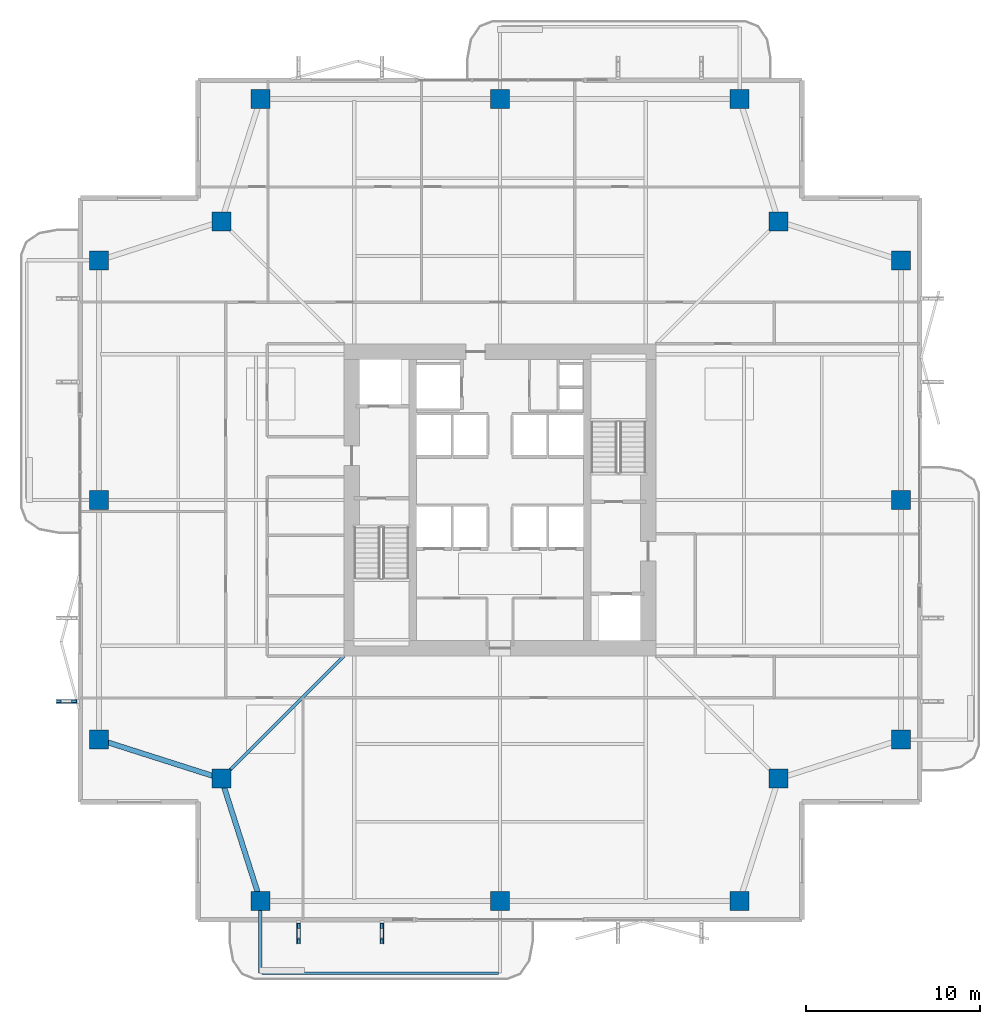
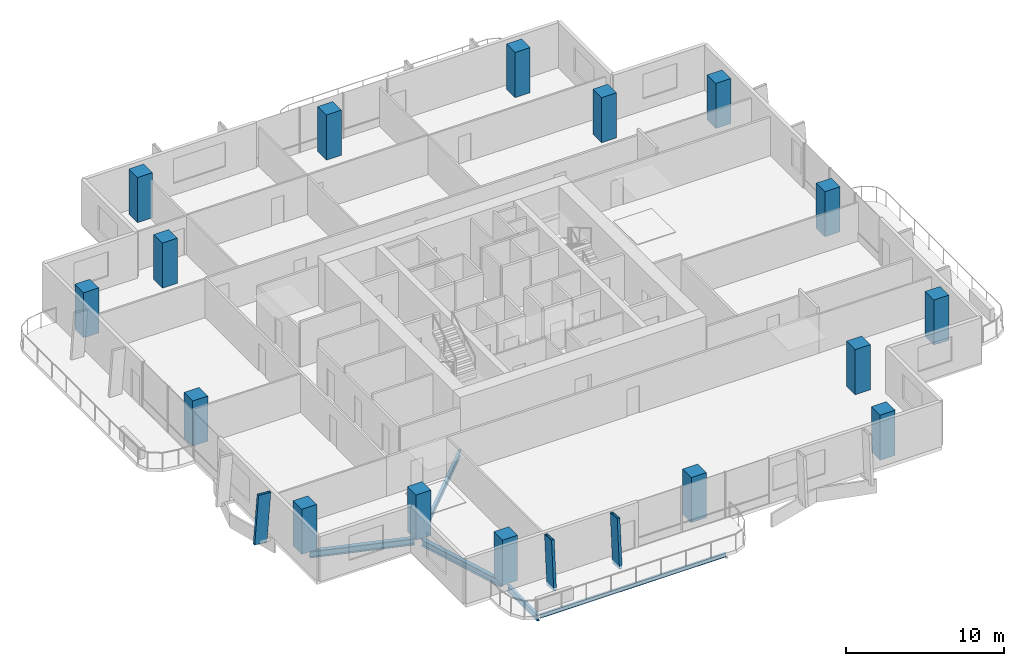
# One storey, part 1 of 25: 16 columns, 5 beams, 3 members.
"""IFC4 building model written with IfcOpenShell, lengths in metres."""

from ifc_helpers import new_model, si_unit, direction, frame, origin, origin_2d, place, context, subcontext, project, spatial, rectangle, hollow_rectangle, i_section, extrude, material, material_profile, profile_set, type_object, element, save


model = new_model("IFC4")

# Units and contexts
model_context = context("Model", 3, precision=1e-05, world=origin(), true_north=direction((0.0, 1.0)))
body_context = subcontext(model_context, "Body", "Model", "MODEL_VIEW")
ifc_project = project(units=[si_unit("LENGTHUNIT", "METRE"), si_unit("AREAUNIT", "SQUARE_METRE"), si_unit("VOLUMEUNIT", "CUBIC_METRE"), si_unit("PLANEANGLEUNIT", "RADIAN"), si_unit("MASSUNIT", "GRAM", prefix="KILO")], contexts=[model_context])

# Site, building, storey
site_placement = place(None, origin())
site = spatial("IfcSite", under=ifc_project, at=site_placement, CompositionType="ELEMENT")
building_placement = place(site_placement, origin())
building = spatial("IfcBuilding", under=site, at=building_placement, Name="Belovzor Exchange Tower", CompositionType="ELEMENT")
storey_placement = place(building_placement, frame((0.0, 0.0, 183.300048828125)))
storey = spatial("IfcBuildingStorey", under=building, at=storey_placement, Name="L45", CompositionType="ELEMENT", Elevation=183.300048828125)

# Columns
ifc_material_1 = material(Name="Concrete C50/60", Category="concrete")
ifc_material_profile_1 = material_profile(ifc_material_1, rectangle(XDim=1.10009765625, YDim=1.10009765625, at=origin_2d()))
ifc_profile_set_1 = profile_set([ifc_material_profile_1], Name="Concrete C50/60")
column_type = type_object("IfcColumnType", Name="Reinforced Concrete Tower Column 1100x1100", PredefinedType="COLUMN", material=ifc_profile_set_1)
for number, where, z_axis, x_axis, name in (
    (1, (15.0, 5.699951171875, 0.0029296875), (0.0, 0.0, 1.0), (1.0, 0.0, 0.0), "COL-T110 Reinforced Concrete Tower Column 1100x1100"),
    (2, (28.800048828125, 5.699951171875, 0.0029296875), (0.0, 0.0, 1.0), (1.0, 0.0, 0.0), "COL-T110 Reinforced Concrete Tower Column 1100x1100"),
    (3, (42.60009765625, 5.699951171875, 0.0029296875), (0.0, 0.0, 1.0), (1.0, 0.0, 0.0), "COL-T110 Reinforced Concrete Tower Column 1100x1100"),
    (4, (51.89990234375, 15.0, 0.0029296875), (0.0, 0.0, 1.0), (1.0, 0.0, 0.0), "COL-T110 Reinforced Concrete Tower Column 1100x1100"),
    (5, (51.89990234375, 28.800048828125, 0.0029296875), (0.0, 0.0, 1.0), (1.0, 0.0, 0.0), "COL-T110 Reinforced Concrete Tower Column 1100x1100"),
    (6, (51.89990234375, 42.60009765625, 0.0029296875), (0.0, 0.0, 1.0), (1.0, 0.0, 0.0), "COL-T110 Reinforced Concrete Tower Column 1100x1100"),
    (7, (42.60009765625, 51.89990234375, 0.0029296875), (0.0, 0.0, 1.0), (1.0, 0.0, 0.0), "COL-T110 Reinforced Concrete Tower Column 1100x1100"),
    (8, (28.800048828125, 51.89990234375, 0.0029296875), (0.0, 0.0, 1.0), (1.0, 0.0, 0.0), "COL-T110 Reinforced Concrete Tower Column 1100x1100"),
    (9, (15.0, 51.89990234375, 0.0029296875), (0.0, 0.0, 1.0), (1.0, 0.0, 0.0), "COL-T110 Reinforced Concrete Tower Column 1100x1100"),
    (10, (5.699951171875, 42.60009765625, 0.0029296875), (0.0, 0.0, 1.0), (1.0, 0.0, 0.0), "COL-T110 Reinforced Concrete Tower Column 1100x1100"),
    (11, (5.699951171875, 28.800048828125, 0.0029296875), (0.0, 0.0, 1.0), (1.0, 0.0, 0.0), "COL-T110 Reinforced Concrete Tower Column 1100x1100"),
    (12, (5.699951171875, 15.0, 0.0029296875), (0.0, 0.0, 1.0), (1.0, 0.0, 0.0), "COL-T110 Reinforced Concrete Tower Column 1100x1100"),
    (13, (12.75, 12.75, 0.0029296875), (0.0, 0.0, 1.0), (1.0, 0.0, 0.0), "COL-T110 Reinforced Concrete Tower Column 1100x1100"),
    (14, (44.85009765625, 12.75, 0.0029296875), (0.0, 0.0, 1.0), (1.0, 0.0, 0.0), "COL-T110 Reinforced Concrete Tower Column 1100x1100"),
    (15, (44.85009765625, 44.85009765625, 0.0029296875), (0.0, 0.0, 1.0), (1.0, 0.0, 0.0), "COL-T110 Reinforced Concrete Tower Column 1100x1100"),
    (16, (12.75, 44.85009765625, 0.0029296875), (0.0, 0.0, 1.0), (1.0, 0.0, 0.0), "COL-T110 Reinforced Concrete Tower Column 1100x1100"),
):
    element("IfcColumn", number, at=place(storey_placement, frame(where, z_axis=z_axis, x_axis=x_axis)), inside=storey, type_object=column_type, Name=name, PredefinedType="COLUMN", context=body_context, shape_type="SweptSolid", body=[
        extrude(rectangle(XDim=1.10009765625, YDim=1.10009765625, at=origin_2d()), origin(), (0.0, 0.0, 1.0), 3.489013671875),
    ])

# Beams
ifc_material_2 = material(Name="Steel S355", Category="steel")
ifc_material_profile_2 = material_profile(ifc_material_2, i_section(OverallWidth=0.199951171875, OverallDepth=0.5, WebThickness=0.01025390625, FlangeThickness=0.01611328125, at=origin_2d()))
ifc_profile_set_2 = profile_set([ifc_material_profile_2], Name="Steel S355")
beam_type_1 = type_object("IfcBeamType", Name="Planted Balcony Cantilever Beam IPE 500", PredefinedType="BEAM", material=ifc_profile_set_2)
beam_1_placement = place(storey_placement, frame((15.0, 5.39697265625, -0.505126953125), z_axis=(0.0, -1.0, 0.0), x_axis=(1.0, 0.0, 0.0)))
element("IfcBeam", 17, at=beam_1_placement, inside=storey, type_object=beam_type_1, Name="BC-500 Planted Balcony Cantilever Beam IPE 500", PredefinedType="BEAM", context=body_context, shape_type="SweptSolid", body=[
    extrude(i_section(OverallWidth=0.199951171875, OverallDepth=0.5, WebThickness=0.01025390625, FlangeThickness=0.01611328125, at=origin_2d()), origin(), (0.0, 0.0, 1.0), 3.849853515625),
])
ifc_material_3 = material(Name="Steel S355", Category="steel")
ifc_material_profile_3 = material_profile(ifc_material_3, i_section(OverallWidth=0.14990234375, OverallDepth=0.300048828125, WebThickness=0.007080078125, FlangeThickness=0.0107421875, at=origin_2d()))
ifc_profile_set_3 = profile_set([ifc_material_profile_3], Name="Steel S355")
beam_type_2 = type_object("IfcBeamType", Name="Planted Balcony Fascia Edge Beam IPE 300", PredefinedType="BEAM", material=ifc_profile_set_3)
beam_2_placement = place(storey_placement, frame((15.10009765625, 1.547119140625, -0.405029296875), z_axis=(1.0, 0.0, 0.0), x_axis=(0.0, 1.0, 0.0)))
element("IfcBeam", 18, at=beam_2_placement, inside=storey, type_object=beam_type_2, Name="BC-300 Planted Balcony Fascia Edge Beam IPE 300", PredefinedType="BEAM", context=body_context, shape_type="SweptSolid", body=[
    extrude(i_section(OverallWidth=0.14990234375, OverallDepth=0.300048828125, WebThickness=0.007080078125, FlangeThickness=0.0107421875, at=origin_2d()), origin(), (0.0, 0.0, 1.0), 13.599853515625),
])

# Members
ifc_material_4 = material(Name="Extruded Architectural Terracotta on Steel S355 Carrier", Category="masonry")
ifc_material_profile_4 = material_profile(ifc_material_4, hollow_rectangle(XDim=0.199951171875, YDim=0.89990234375, WallThickness=0.011962890625, at=origin_2d()))
ifc_profile_set_4 = profile_set([ifc_material_profile_4], Name="Extruded Architectural Terracotta on Steel S355 Carrier")
member_type = type_object("IfcMemberType", Name="Sweeping Terracotta Baguette Fin Assembly 1250", PredefinedType="USERDEFINED", material=ifc_profile_set_4)
for number, where, z_axis, x_axis, name in (
    (19, (17.199951171875, 3.68896484375, -0.255126953125), (0.0, 0.076080932854, 0.997101645599), (-1.0, 0.0, 0.0), "FIN-TC125 Terracotta Facade Fin L45 S1"),
    (20, (3.68896484375, 17.199951171875, -0.255126953125), (0.076080932854, 0.0, 0.997101645599), (0.0, 1.0, 0.0), "FIN-TC125 Terracotta Facade Fin L45 W1"),
    (21, (22.0, 3.68896484375, -0.255126953125), (0.0, 0.076080932854, 0.997101645599), (-1.0, 0.0, 0.0), "FIN-TC125 Terracotta Facade Fin L45 S2"),
):
    element("IfcMember", number, at=place(storey_placement, frame(where, z_axis=z_axis, x_axis=x_axis)), inside=storey, type_object=member_type, Name=name, ObjectType="FIN", PredefinedType="USERDEFINED", context=body_context, shape_type="SweptSolid", body=[
        extrude(hollow_rectangle(XDim=0.199951171875, YDim=0.89990234375, WallThickness=0.011962890625, at=origin_2d()), origin(), (0.0, 0.0, 1.0), 3.760986328125),
    ])

# Beams
ifc_material_5 = material(Name="Steel S355", Category="steel")
ifc_material_profile_5 = material_profile(ifc_material_5, i_section(OverallWidth=0.18994140625, OverallDepth=0.449951171875, WebThickness=0.009521484375, FlangeThickness=0.0146484375, at=origin_2d()))
ifc_profile_set_5 = profile_set([ifc_material_profile_5], Name="Steel S355")
beam_type_3 = type_object("IfcBeamType", Name="Zone 2-4 Radial Composite Floor Beam IPE 450", PredefinedType="BEAM", material=ifc_profile_set_5)
beam_3_placement = place(storey_placement, frame((19.800048828125, 19.800048828125, -0.47998046875), z_axis=(-0.707106781187, -0.707106781187, 0.0), x_axis=(0.707106781187, -0.707106781187, 0.0)))
element("IfcBeam", 22, at=beam_3_placement, inside=storey, type_object=beam_type_3, Name="FB-450 Zone 2-4 Radial Composite Floor Beam IPE 450", PredefinedType="BEAM", context=body_context, shape_type="SweptSolid", body=[
    extrude(i_section(OverallWidth=0.18994140625, OverallDepth=0.449951171875, WebThickness=0.009521484375, FlangeThickness=0.0146484375, at=origin_2d()), origin(), (0.0, 0.0, 1.0), 9.58154296875),
])
ifc_material_6 = material(Name="Steel S355", Category="steel")
ifc_material_profile_6 = material_profile(ifc_material_6, i_section(OverallWidth=0.300048828125, OverallDepth=0.5, WebThickness=0.014404296875, FlangeThickness=0.028076171875, at=origin_2d()))
ifc_profile_set_6 = profile_set([ifc_material_profile_6], Name="Steel S355")
beam_type_4 = type_object("IfcBeamType", Name="Zone 3 Waist Primary Girder HEB 500", PredefinedType="BEAM", material=ifc_profile_set_6)
for number, where, z_axis, x_axis, name in (
    (23, (12.842041015625, 12.4619140625, -0.505126953125), (0.304011730457, -0.952668288411, 0.0), (0.952668288411, 0.304011730457, 0.0), "FG-Z3 Zone 3 Waist Primary Girder HEB 500"),
    (24, (5.988037109375, 14.907958984375, -0.505126953125), (0.952668288411, -0.304011730457, 0.0), (0.304011730457, 0.952668288411, 0.0), "FG-Z3 Zone 3 Waist Primary Girder HEB 500"),
):
    element("IfcBeam", number, at=place(storey_placement, frame(where, z_axis=z_axis, x_axis=x_axis)), inside=storey, type_object=beam_type_4, Name=name, PredefinedType="BEAM", context=body_context, shape_type="SweptSolid", body=[
        extrude(i_section(OverallWidth=0.300048828125, OverallDepth=0.5, WebThickness=0.014404296875, FlangeThickness=0.028076171875, at=origin_2d()), origin(), (0.0, 0.0, 1.0), 6.79541015625),
    ])

save(model, "model.ifc")
